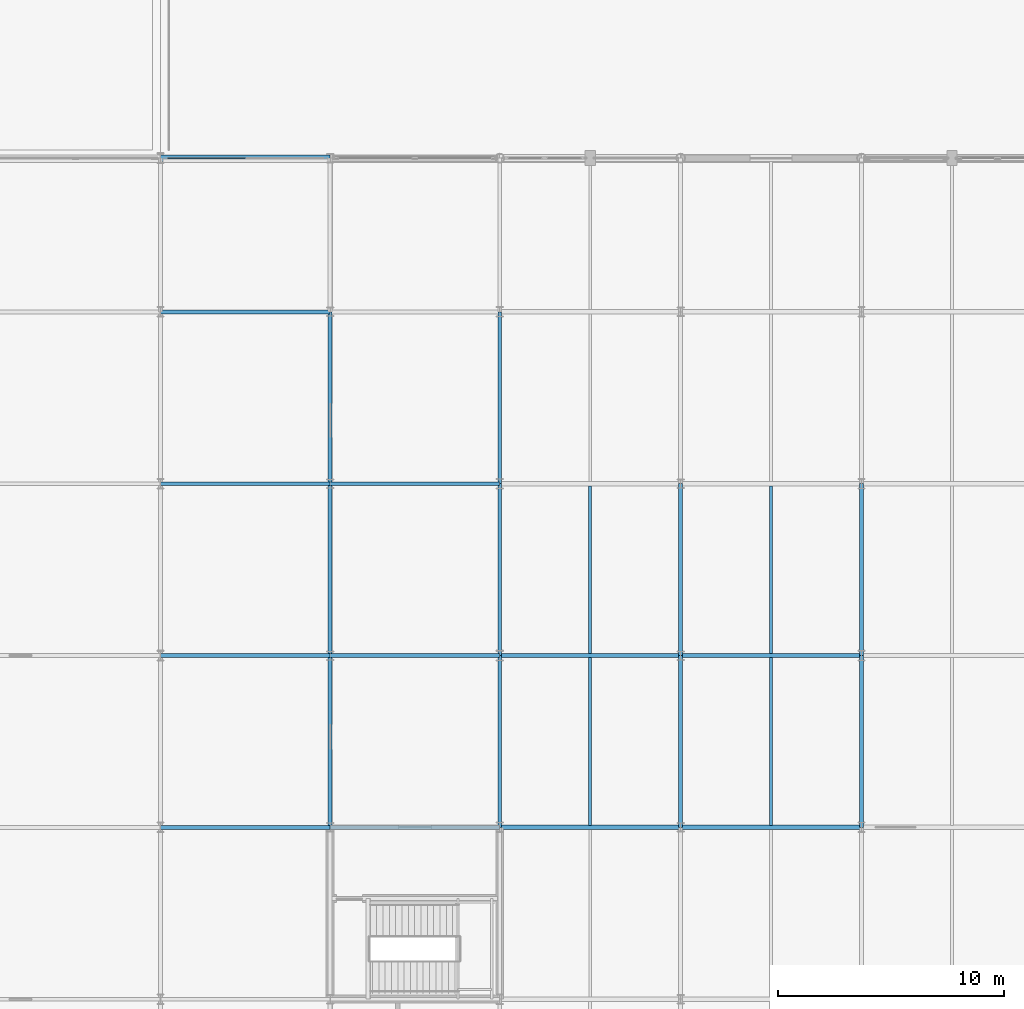
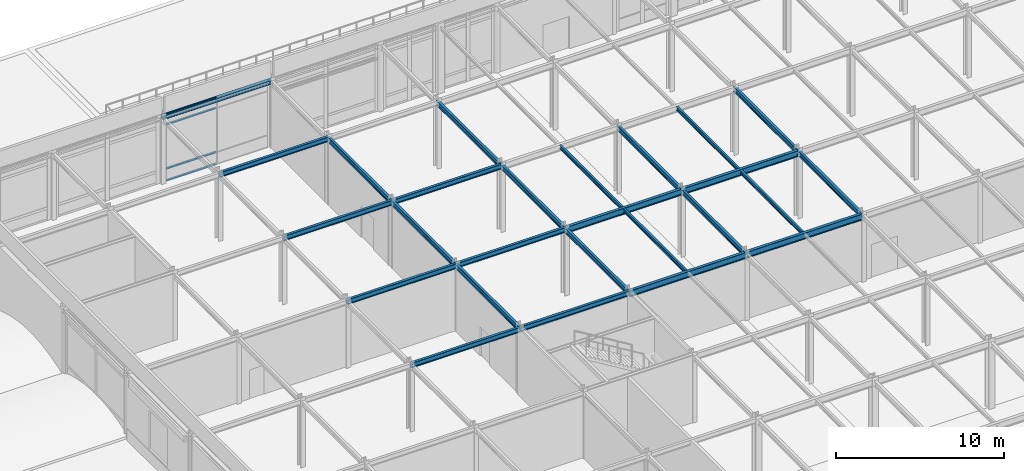
# One storey, part 41 of 113: 26 beams, 4 members, 1 element without a shape of its own.
"""IFC4 building model written with IfcOpenShell, lengths in metres."""

import ifcopenshell
import ifcopenshell.guid

model = None  # the IFC model being written
_history = None  # IfcOwnerHistory: only IFC2X3 demands one
_inside = {}  # id of a spatial element -> (the spatial element, [elements in it])
_under = {}  # id of a project, library or spatial element -> (it, [spatial elements below it])
_declared = {}  # id of a project -> (the project, [libraries it declares])
_typed = {}  # id of a type object -> (the type object, [elements of that type])
_made_of = {}  # id of a material, layer set ... -> (it, [elements and type objects made of it])


def new_model(schema):
    """Start an empty IFC model of exactly this schema.

    Asked for "IFC4X3", IfcOpenShell would pick the latest addendum, in which some entities
    have other attributes; the version numbers below select the first issue.
    IFC2X3 requires an IfcOwnerHistory on every rooted entity: one is made here for all.
    """
    global model, _history
    if schema == "IFC4X3":
        model = ifcopenshell.file(schema_version=(4, 3, 0, 0))
    else:
        model = ifcopenshell.file(schema=schema)
    _inside.clear()
    _under.clear()
    _declared.clear()
    _typed.clear()
    _made_of.clear()
    _history = None
    if model.schema == "IFC2X3":
        org = make("IfcOrganization", Name="unknown")
        user = make(
            "IfcPersonAndOrganization",
            ThePerson=make("IfcPerson", FamilyName="unknown"),
            TheOrganization=org,
        )
        app = make(
            "IfcApplication",
            ApplicationDeveloper=org,
            Version="unknown",
            ApplicationFullName="unknown",
            ApplicationIdentifier="unknown",
        )
        _history = make(
            "IfcOwnerHistory",
            OwningUser=user,
            OwningApplication=app,
            ChangeAction="ADDED",
            CreationDate=0,
        )
    return model


def make(cls, **values):
    """One entity of the class cls with the attributes given. An attribute that is None is left unset."""
    return model.create_entity(
        cls, **{name: value for name, value in values.items() if value is not None}
    )


def rooted(cls, **values):
    """An entity with a GlobalId (a new one), such as an element, a storey or a relation."""
    return make(cls, GlobalId=ifcopenshell.guid.new(), OwnerHistory=_history, **values)


def si_unit(unit_type, name, prefix=None):
    """IfcSIUnit, for example si_unit("LENGTHUNIT", "METRE", prefix="MILLI")."""
    return make("IfcSIUnit", UnitType=unit_type, Prefix=prefix, Name=name)


def assignment(units):
    """IfcUnitAssignment: the units of a project."""
    return None if units is None else make("IfcUnitAssignment", Units=units)


def point(xyz):
    """IfcCartesianPoint."""
    return None if xyz is None else make("IfcCartesianPoint", Coordinates=xyz)


def direction(xyz):
    """IfcDirection."""
    return None if xyz is None else make("IfcDirection", DirectionRatios=xyz)


def frame(location, z_axis=None, x_axis=None):
    """IfcAxis2Placement3D, a coordinate frame: its origin and axes. An axis left out is left unset."""
    return make(
        "IfcAxis2Placement3D",
        Location=point(location),
        Axis=direction(z_axis),
        RefDirection=direction(x_axis),
    )


def frame_2d(location, x_axis=None):
    """IfcAxis2Placement2D, a coordinate frame in the plane: its origin and x axis."""
    return make(
        "IfcAxis2Placement2D", Location=point(location), RefDirection=direction(x_axis)
    )


def origin():
    """The frame at (0, 0, 0) with its axes left unset."""
    return frame((0.0, 0.0, 0.0))


def origin_2d():
    """The frame at (0, 0) in the plane with its x axis left unset."""
    return frame_2d((0.0, 0.0))


def place(relative_to, where):
    """IfcLocalPlacement: puts the frame where relative to a parent placement (None: the world)."""
    return make(
        "IfcLocalPlacement", PlacementRelTo=relative_to, RelativePlacement=where
    )


def context(
    kind, dimensions, precision=None, world=None, true_north=None, identifier=None
):
    """IfcGeometricRepresentationContext, for example the 3D "Model" context."""
    return make(
        "IfcGeometricRepresentationContext",
        ContextIdentifier=identifier,
        ContextType=kind,
        CoordinateSpaceDimension=dimensions,
        Precision=precision,
        WorldCoordinateSystem=world,
        TrueNorth=true_north,
    )


def subcontext(parent, identifier, kind, view, scale=None):
    """IfcGeometricRepresentationSubContext, for example "Body" below "Model"."""
    return make(
        "IfcGeometricRepresentationSubContext",
        ContextIdentifier=identifier,
        ContextType=kind,
        ParentContext=parent,
        TargetScale=scale,
        TargetView=view,
    )


def project(units=None, contexts=None):
    """IfcProject with its units and contexts."""
    return rooted(
        "IfcProject",
        Name="project",
        RepresentationContexts=contexts,
        UnitsInContext=assignment(units),
    )


def spatial(cls, under=None, at=None, **own):
    """A site, building, storey or space (cls), placed at a placement, below another one or the project."""
    s = rooted(cls, ObjectPlacement=at, **own)
    if under is not None:
        _under.setdefault(under.id(), (under, []))[1].append(s)
    return s


def profile(cls, at=None, kind="AREA", **sizes):
    """A parametric profile (cls). Its sizes go by their IFC names, for example OverallWidth=200.0."""
    return make(cls, ProfileType=kind, Position=at, **sizes)


def hollow_rectangle(**sizes):
    """IfcRectangleHollowProfileDef."""
    return profile("IfcRectangleHollowProfileDef", **sizes)


def i_section(**sizes):
    """IfcIShapeProfileDef."""
    return profile("IfcIShapeProfileDef", **sizes)


def extrude(swept, where, along, depth):
    """IfcExtrudedAreaSolid: the profile swept, set in the frame where, extruded along a direction by depth."""
    return make(
        "IfcExtrudedAreaSolid",
        SweptArea=swept,
        Position=where,
        ExtrudedDirection=direction(along),
        Depth=depth,
    )


def shape(context_of_items, identifier, shape_type, items):
    """IfcShapeRepresentation: the items that make up one representation, for example the "Body"."""
    return make(
        "IfcShapeRepresentation",
        ContextOfItems=context_of_items,
        RepresentationIdentifier=identifier,
        RepresentationType=shape_type,
        Items=items,
    )


def material(Name=None, Category=None):
    """IfcMaterial."""
    return make("IfcMaterial", Name=Name, Category=Category)


def layer(
    of_material, thickness, ventilated=None, Name=None, Category=None, Priority=None
):
    """IfcMaterialLayer: one layer of a wall or slab, of a material (None: an air gap)."""
    return make(
        "IfcMaterialLayer",
        Material=of_material,
        LayerThickness=thickness,
        IsVentilated=ventilated,
        Name=Name,
        Category=Category,
        Priority=Priority,
    )


def layer_set(layers, Name=None):
    """IfcMaterialLayerSet."""
    return make("IfcMaterialLayerSet", MaterialLayers=layers, LayerSetName=Name)


def material_profile(
    of_material, cross_section, Name=None, Category=None, Priority=None
):
    """IfcMaterialProfile: a cross section and its material."""
    return make(
        "IfcMaterialProfile",
        Name=Name,
        Material=of_material,
        Profile=cross_section,
        Priority=Priority,
        Category=Category,
    )


def profile_set(profiles, Name=None, composite=None):
    """IfcMaterialProfileSet."""
    return make(
        "IfcMaterialProfileSet",
        Name=Name,
        MaterialProfiles=profiles,
        CompositeProfile=composite,
    )


def made_of(thing, what):
    """Note that an element or type object is made of a material, layer set ...; save() writes the relation."""
    if what is not None:
        _made_of.setdefault(what.id(), (what, []))[1].append(thing)
    return thing


def type_object(cls, material=None, **own):
    """A type object (cls), such as IfcWallType, which elements share."""
    return made_of(rooted(cls, **own), material)


def element(
    cls,
    number,
    at=None,
    inside=None,
    cuts=None,
    type_object=None,
    material=None,
    context=None,
    identifier="Body",
    shape_type=None,
    held_by="IfcProductDefinitionShape",
    body=None,
    shapes=None,
    **own,
):
    """One element of the class cls, such as IfcWall. Its Tag is "e" and its number.

    at: its placement. inside: the storey or other place that contains it. cuts: it is an
    opening in that element (IfcRelVoidsElement). A single representation is given by context,
    identifier, shape_type and body (its items); several are given by shapes. held_by: the class
    of the entity that holds the representations. save() writes the other relations.
    """
    e = rooted(cls, Tag="e%d" % number, ObjectPlacement=at, **own)
    if body is not None:
        shapes = [shape(context, identifier, shape_type, body)]
    if shapes is not None:
        e.Representation = make(held_by, Representations=shapes)
    if inside is not None:
        _inside.setdefault(inside.id(), (inside, []))[1].append(e)
    if cuts is not None:
        rooted(
            "IfcRelVoidsElement", RelatingBuildingElement=cuts, RelatedOpeningElement=e
        )
    if type_object is not None:
        _typed.setdefault(type_object.id(), (type_object, []))[1].append(e)
    return made_of(e, material)


def aggregate(whole, parts):
    """IfcRelAggregates: a whole, such as a stair, and the parts it consists of."""
    return rooted("IfcRelAggregates", RelatingObject=whole, RelatedObjects=parts)


def save(model, path):
    """Write the relations noted so far, then the file.

    IfcRelAggregates (storeys below a building ...), IfcRelContainedInSpatialStructure (elements
    in a storey), IfcRelDefinesByType, IfcRelAssociatesMaterial and IfcRelDeclares: one each for
    every whole, place, type object, material and project.
    """
    for whole, parts in _under.values():
        aggregate(whole, parts)
    for where, things in _inside.values():
        rooted(
            "IfcRelContainedInSpatialStructure",
            RelatedElements=things,
            RelatingStructure=where,
        )
    for kind, things in _typed.values():
        rooted("IfcRelDefinesByType", RelatedObjects=things, RelatingType=kind)
    for what, things in _made_of.values():
        rooted("IfcRelAssociatesMaterial", RelatedObjects=things, RelatingMaterial=what)
    for by, libraries in _declared.values():
        rooted("IfcRelDeclares", RelatingContext=by, RelatedDefinitions=libraries)
    model.write(path)


model = new_model("IFC4")

# Units and contexts
model_context = context("Model", 3, precision=1e-05, world=origin(), true_north=direction((0.0, 1.0)))
body_context = subcontext(model_context, "Body", "Model", "MODEL_VIEW")
ifc_project = project(units=[si_unit("LENGTHUNIT", "METRE"), si_unit("AREAUNIT", "SQUARE_METRE"), si_unit("VOLUMEUNIT", "CUBIC_METRE"), si_unit("PLANEANGLEUNIT", "RADIAN"), si_unit("MASSUNIT", "GRAM", prefix="KILO")], contexts=[model_context])

# Site, building, storey
site_placement = place(None, origin())
site = spatial("IfcSite", under=ifc_project, at=site_placement, CompositionType="ELEMENT")
building_placement = place(site_placement, origin())
building = spatial("IfcBuilding", under=site, at=building_placement, Name="Shalkamar Park Central Library", CompositionType="ELEMENT")
storey_placement = place(building_placement, frame((0.0, 0.0, 5.39990234375)))
storey = spatial("IfcBuildingStorey", under=building, at=storey_placement, Name="L02", CompositionType="ELEMENT", Elevation=5.39990234375)

# Beams
ifc_material_1 = material(Name="Steel S355", Category="steel")
ifc_material_profile_1 = material_profile(ifc_material_1, i_section(OverallWidth=0.135009765625, OverallDepth=0.27001953125, WebThickness=0.006591796875, FlangeThickness=0.01025390625, FilletRadius=0.014892578125, at=origin_2d()), Name="IPE 270")
ifc_profile_set_1 = profile_set([ifc_material_profile_1], Name="Steel S355")
beam_type_1 = type_object("IfcBeamType", Name="Composite Floor Joist IPE270", PredefinedType="JOIST", material=ifc_profile_set_1)
for number, where, z_axis, x_axis, name in (
    (1, (169.0, 308.492919921875, 4.72509765625), (0.0, 1.0, 0.0), (-1.0, 0.0, 0.0), "Composite Joist 07/K-1 (L02)"),
    (2, (169.0, 316.093017578125, 4.72509765625), (0.0, 1.0, 0.0), (-1.0, 0.0, 0.0), "Composite Joist 07/L-1 (L02)"),
    (3, (177.0, 308.492919921875, 4.72509765625), (0.0, 1.0, 0.0), (-1.0, 0.0, 0.0), "Composite Joist 08/K-1 (L02)"),
    (4, (177.0, 316.093017578125, 4.72509765625), (0.0, 1.0, 0.0), (-1.0, 0.0, 0.0), "Composite Joist 08/L-1 (L02)"),
):
    element("IfcBeam", number, at=place(storey_placement, frame(where, z_axis=z_axis, x_axis=x_axis)), inside=storey, type_object=beam_type_1, Name=name, PredefinedType="JOIST", context=body_context, shape_type="SweptSolid", body=[
        extrude(i_section(OverallWidth=0.135009765625, OverallDepth=0.27001953125, WebThickness=0.006591796875, FlangeThickness=0.01025390625, FilletRadius=0.014892578125, at=origin_2d()), origin(), (0.0, 0.0, 1.0), 7.4140625),
    ])

# Curtain wall, members
ifc_material_2 = material(Name="Thermally broken aluminium and triple low-e curtain wall", Category="aluminium")
ifc_layer = layer(ifc_material_2, 0.25)
ifc_layer_set = layer_set([ifc_layer], Name="UnitisedCurtainWall_22")
curtain_wall_type = type_object("IfcCurtainWallType", Name="Unitised Curtain Wall 22", PredefinedType="USERDEFINED", material=ifc_layer_set)
curtain_wall_placement = place(storey_placement, origin())
curtain_wall = element("IfcCurtainWall", 5, at=curtain_wall_placement, inside=storey, type_object=curtain_wall_type, Name="Unitised Curtain Wall CW-L02-024", ObjectType="UNITISED CURTAIN WALL", PredefinedType="USERDEFINED")
ifc_material_3 = material(Name="Aluminium 6060-T66", Category="aluminium")
ifc_material_profile_2 = material_profile(ifc_material_3, hollow_rectangle(XDim=0.06005859375, YDim=0.159912109375, WallThickness=0.00390625, InnerFilletRadius=0.00390625, OuterFilletRadius=0.006103515625, at=origin_2d()), Name="ALU 60x160x4")
ifc_profile_set_2 = profile_set([ifc_material_profile_2], Name="Aluminium 6060-T66")
member_type = type_object("IfcMemberType", Name="Curtain Wall Transom ALU60x160", PredefinedType="USERDEFINED", material=ifc_profile_set_2)
member_1_placement = place(storey_placement, frame((150.303955078125, 338.0, 0.030029296875), z_axis=(1.0, 0.0, 0.0), x_axis=(0.0, 1.0, 0.0)))
member_1 = element("IfcMember", 6, at=member_1_placement, type_object=member_type, Name="CW-22 transom 1.1", ObjectType="TRANSOM", PredefinedType="USERDEFINED", context=body_context, shape_type="SweptSolid", body=[
    extrude(hollow_rectangle(XDim=0.06005859375, YDim=0.159912109375, WallThickness=0.00390625, InnerFilletRadius=0.00390625, OuterFilletRadius=0.006103515625, at=origin_2d()), origin(), (0.0, 0.0, 1.0), 3.421142578125),
])
member_2_placement = place(storey_placement, frame((150.303955078125, 338.0, 0.900146484375), z_axis=(1.0, 0.0, 0.0), x_axis=(0.0, 1.0, 0.0)))
member_2 = element("IfcMember", 7, at=member_2_placement, type_object=member_type, Name="CW-22 transom 1.2", ObjectType="TRANSOM", PredefinedType="USERDEFINED", context=body_context, shape_type="SweptSolid", body=[
    extrude(hollow_rectangle(XDim=0.06005859375, YDim=0.159912109375, WallThickness=0.00390625, InnerFilletRadius=0.00390625, OuterFilletRadius=0.006103515625, at=origin_2d()), origin(), (0.0, 0.0, 1.0), 3.421142578125),
])
member_3_placement = place(storey_placement, frame((150.303955078125, 338.0, 4.10009765625), z_axis=(1.0, 0.0, 0.0), x_axis=(0.0, 1.0, 0.0)))
member_3 = element("IfcMember", 8, at=member_3_placement, type_object=member_type, Name="CW-22 transom 1.3", ObjectType="TRANSOM", PredefinedType="USERDEFINED", context=body_context, shape_type="SweptSolid", body=[
    extrude(hollow_rectangle(XDim=0.06005859375, YDim=0.159912109375, WallThickness=0.00390625, InnerFilletRadius=0.00390625, OuterFilletRadius=0.006103515625, at=origin_2d()), origin(), (0.0, 0.0, 1.0), 3.421142578125),
])
member_4_placement = place(storey_placement, frame((150.303955078125, 338.0, 4.820068359375), z_axis=(1.0, 0.0, 0.0), x_axis=(0.0, 1.0, 0.0)))
member_4 = element("IfcMember", 9, at=member_4_placement, type_object=member_type, Name="CW-22 transom 1.4", ObjectType="TRANSOM", PredefinedType="USERDEFINED", context=body_context, shape_type="SweptSolid", body=[
    extrude(hollow_rectangle(XDim=0.06005859375, YDim=0.159912109375, WallThickness=0.00390625, InnerFilletRadius=0.00390625, OuterFilletRadius=0.006103515625, at=origin_2d()), origin(), (0.0, 0.0, 1.0), 3.421142578125),
])
aggregate(curtain_wall, [member_1, member_2, member_3, member_4])

# Beams
ifc_material_profile_3 = material_profile(ifc_material_1, i_section(OverallWidth=0.280029296875, OverallDepth=0.27001953125, WebThickness=0.008056640625, FlangeThickness=0.012939453125, FilletRadius=0.02392578125, at=origin_2d()), Name="HEA 280")
ifc_profile_set_3 = profile_set([ifc_material_profile_3], Name="Steel S355")
beam_type_2 = type_object("IfcBeamType", Name="Perimeter Spandrel Beam HEA280", PredefinedType="SPANDREL", material=ifc_profile_set_3)
beam_1_placement = place(storey_placement, frame((150.0, 338.0, 4.715087890625), z_axis=(1.0, 0.0, 0.0), x_axis=(0.0, 1.0, 0.0)))
element("IfcBeam", 10, at=beam_1_placement, inside=storey, type_object=beam_type_2, Name="Beam P:05-06 (L02)", PredefinedType="SPANDREL", context=body_context, shape_type="SweptSolid", body=[
    extrude(i_section(OverallWidth=0.280029296875, OverallDepth=0.27001953125, WebThickness=0.008056640625, FlangeThickness=0.012939453125, FilletRadius=0.02392578125, at=origin_2d()), origin(), (0.0, 0.0, 1.0), 7.5),
])
ifc_material_profile_4 = material_profile(ifc_material_1, i_section(OverallWidth=0.169921875, OverallDepth=0.360107421875, WebThickness=0.008056640625, FlangeThickness=0.0126953125, FilletRadius=0.01806640625, at=origin_2d()), Name="IPE 360")
ifc_profile_set_4 = profile_set([ifc_material_profile_4], Name="Steel S355")
beam_type_3 = type_object("IfcBeamType", Name="Primary Girder IPE360", PredefinedType="BEAM", material=ifc_profile_set_4)
for number, where, z_axis, x_axis, name in (
    (11, (150.0, 308.39990234375, 4.670166015625), (1.0, 0.0, 0.0), (0.0, 1.0, 0.0), "Beam K:05-06 (L02)"),
    (12, (157.5, 308.39990234375, 4.68017578125), (1.0, 0.0, 0.0), (0.0, 1.0, 0.0), "Beam K:06-07 (L02)"),
    (13, (150.0, 316.0, 4.670166015625), (1.0, 0.0, 0.0), (0.0, 1.0, 0.0), "Beam L:05-06 (L02)"),
    (14, (157.5, 316.0, 4.68017578125), (1.0, 0.0, 0.0), (0.0, 1.0, 0.0), "Beam L:06-07 (L02)"),
    (15, (150.0, 323.60009765625, 4.670166015625), (1.0, 0.0, 0.0), (0.0, 1.0, 0.0), "Beam M:05-06 (L02)"),
    (16, (157.5, 323.60009765625, 4.670166015625), (1.0, 0.0, 0.0), (0.0, 1.0, 0.0), "Beam M:06-07 (L02)"),
    (17, (150.0, 331.199951171875, 4.670166015625), (1.0, 0.0, 0.0), (0.0, 1.0, 0.0), "Beam N:05-06 (L02)"),
):
    element("IfcBeam", number, at=place(storey_placement, frame(where, z_axis=z_axis, x_axis=x_axis)), inside=storey, type_object=beam_type_3, Name=name, PredefinedType="BEAM", context=body_context, shape_type="SweptSolid", body=[
        extrude(i_section(OverallWidth=0.169921875, OverallDepth=0.360107421875, WebThickness=0.008056640625, FlangeThickness=0.0126953125, FilletRadius=0.01806640625, at=origin_2d()), origin(), (0.0, 0.0, 1.0), 7.5),
    ])
for number, where, z_axis, x_axis, name in (
    (18, (157.5, 308.39990234375, 4.68017578125), (0.0, 1.0, 0.0), (-1.0, 0.0, 0.0), "Beam 06:K-L (L02)"),
    (19, (157.5, 316.0, 4.670166015625), (0.0, 1.0, 0.0), (-1.0, 0.0, 0.0), "Beam 06:L-M (L02)"),
):
    element("IfcBeam", number, at=place(storey_placement, frame(where, z_axis=z_axis, x_axis=x_axis)), inside=storey, type_object=beam_type_3, Name=name, PredefinedType="BEAM", context=body_context, shape_type="SweptSolid", body=[
        extrude(i_section(OverallWidth=0.169921875, OverallDepth=0.360107421875, WebThickness=0.008056640625, FlangeThickness=0.0126953125, FilletRadius=0.01806640625, at=origin_2d()), origin(), (0.0, 0.0, 1.0), 7.60009765625),
    ])
beam_2_placement = place(storey_placement, frame((157.5, 323.60009765625, 4.670166015625), z_axis=(0.0, 1.0, 0.0), x_axis=(-1.0, 0.0, 0.0)))
element("IfcBeam", 20, at=beam_2_placement, inside=storey, type_object=beam_type_3, Name="Beam 06:M-N (L02)", PredefinedType="BEAM", context=body_context, shape_type="SweptSolid", body=[
    extrude(i_section(OverallWidth=0.169921875, OverallDepth=0.360107421875, WebThickness=0.008056640625, FlangeThickness=0.0126953125, FilletRadius=0.01806640625, at=origin_2d()), origin(), (0.0, 0.0, 1.0), 7.599853515625),
])
for number, where, z_axis, x_axis, name in (
    (21, (165.0, 308.39990234375, 4.68017578125), (0.0, 1.0, 0.0), (-1.0, 0.0, 0.0), "Beam 07:K-L (L02)"),
    (22, (165.0, 316.0, 4.68017578125), (0.0, 1.0, 0.0), (-1.0, 0.0, 0.0), "Beam 07:L-M (L02)"),
):
    element("IfcBeam", number, at=place(storey_placement, frame(where, z_axis=z_axis, x_axis=x_axis)), inside=storey, type_object=beam_type_3, Name=name, PredefinedType="BEAM", context=body_context, shape_type="SweptSolid", body=[
        extrude(i_section(OverallWidth=0.169921875, OverallDepth=0.360107421875, WebThickness=0.008056640625, FlangeThickness=0.0126953125, FilletRadius=0.01806640625, at=origin_2d()), origin(), (0.0, 0.0, 1.0), 7.60009765625),
    ])
beam_3_placement = place(storey_placement, frame((165.0, 323.60009765625, 4.670166015625), z_axis=(0.0, 1.0, 0.0), x_axis=(-1.0, 0.0, 0.0)))
element("IfcBeam", 23, at=beam_3_placement, inside=storey, type_object=beam_type_3, Name="Beam 07:M-N (L02)", PredefinedType="BEAM", context=body_context, shape_type="SweptSolid", body=[
    extrude(i_section(OverallWidth=0.169921875, OverallDepth=0.360107421875, WebThickness=0.008056640625, FlangeThickness=0.0126953125, FilletRadius=0.01806640625, at=origin_2d()), origin(), (0.0, 0.0, 1.0), 7.599853515625),
])
for number, where, z_axis, x_axis, name in (
    (24, (173.0, 308.39990234375, 4.68017578125), (0.0, 1.0, 0.0), (-1.0, 0.0, 0.0), "Beam 08:K-L (L02)"),
    (25, (173.0, 316.0, 4.68017578125), (0.0, 1.0, 0.0), (-1.0, 0.0, 0.0), "Beam 08:L-M (L02)"),
    (26, (181.0, 308.39990234375, 4.68017578125), (0.0, 1.0, 0.0), (-1.0, 0.0, 0.0), "Beam 09:K-L (L02)"),
    (27, (181.0, 316.0, 4.68017578125), (0.0, 1.0, 0.0), (-1.0, 0.0, 0.0), "Beam 09:L-M (L02)"),
):
    element("IfcBeam", number, at=place(storey_placement, frame(where, z_axis=z_axis, x_axis=x_axis)), inside=storey, type_object=beam_type_3, Name=name, PredefinedType="BEAM", context=body_context, shape_type="SweptSolid", body=[
        extrude(i_section(OverallWidth=0.169921875, OverallDepth=0.360107421875, WebThickness=0.008056640625, FlangeThickness=0.0126953125, FilletRadius=0.01806640625, at=origin_2d()), origin(), (0.0, 0.0, 1.0), 7.60009765625),
    ])
ifc_material_profile_5 = material_profile(ifc_material_1, i_section(OverallWidth=0.18994140625, OverallDepth=0.449951171875, WebThickness=0.009521484375, FlangeThickness=0.0146484375, FilletRadius=0.02099609375, at=origin_2d()), Name="IPE 450")
ifc_profile_set_5 = profile_set([ifc_material_profile_5], Name="Steel S355")
beam_type_4 = type_object("IfcBeamType", Name="Primary Girder IPE450", PredefinedType="BEAM", material=ifc_profile_set_5)
for number, where, z_axis, x_axis, name in (
    (28, (165.0, 308.39990234375, 4.635009765625), (1.0, 0.0, 0.0), (0.0, 1.0, 0.0), "Beam K:07-08 (L02)"),
    (29, (173.0, 308.39990234375, 4.635009765625), (1.0, 0.0, 0.0), (0.0, 1.0, 0.0), "Beam K:08-09 (L02)"),
    (30, (165.0, 316.0, 4.635009765625), (1.0, 0.0, 0.0), (0.0, 1.0, 0.0), "Beam L:07-08 (L02)"),
    (31, (173.0, 316.0, 4.635009765625), (1.0, 0.0, 0.0), (0.0, 1.0, 0.0), "Beam L:08-09 (L02)"),
):
    element("IfcBeam", number, at=place(storey_placement, frame(where, z_axis=z_axis, x_axis=x_axis)), inside=storey, type_object=beam_type_4, Name=name, PredefinedType="BEAM", context=body_context, shape_type="SweptSolid", body=[
        extrude(i_section(OverallWidth=0.18994140625, OverallDepth=0.449951171875, WebThickness=0.009521484375, FlangeThickness=0.0146484375, FilletRadius=0.02099609375, at=origin_2d()), origin(), (0.0, 0.0, 1.0), 8.0),
    ])

save(model, "model.ifc")
